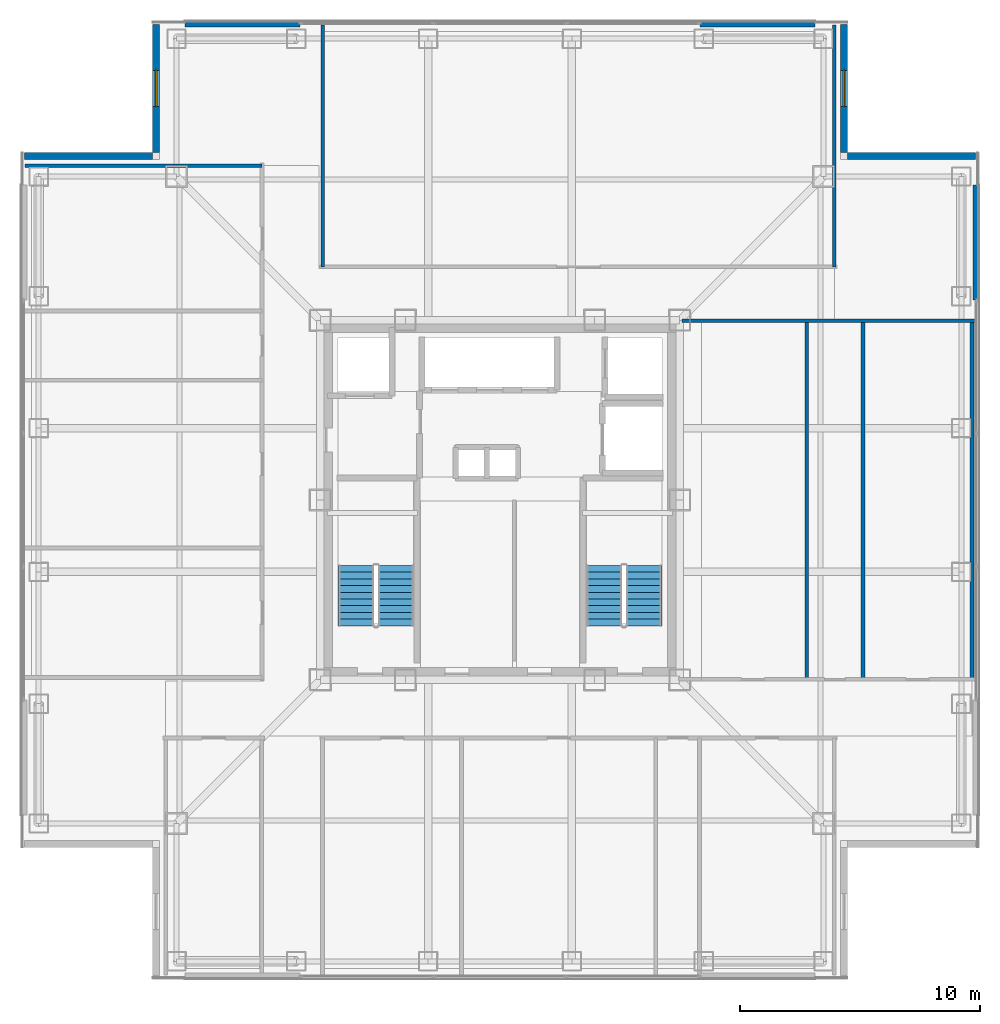
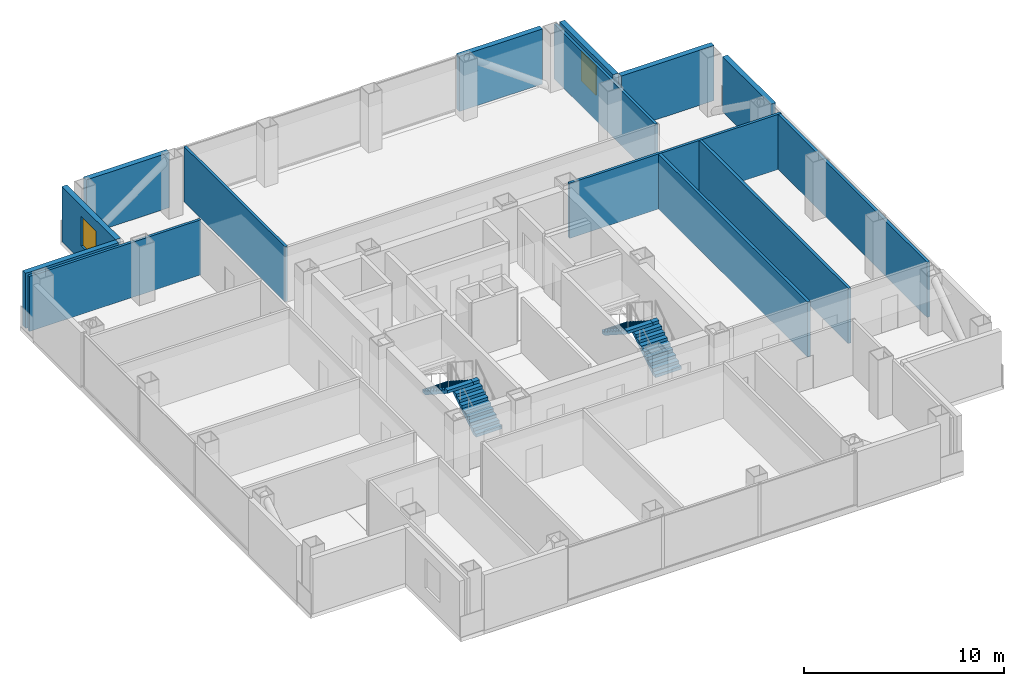
# One storey, part 11 of 17: 14 walls, 4 stair flights, 2 windows, 2 openings, 2 elements without a shape of their own.
"""IFC4 building model written with IfcOpenShell, lengths in metres."""

from ifc_helpers import new_model, si_unit, direction, frame, frame_2d, origin, place, context, subcontext, project, spatial, polyline, rectangle, outline, extrude, material, layer, layer_set, type_object, element, fill, aggregate, save


model = new_model("IFC4")

# Units and contexts
model_context = context("Model", 3, precision=1e-05, world=origin(), true_north=direction((0.0, 1.0)))
body_context = subcontext(model_context, "Body", "Model", "MODEL_VIEW")
ifc_project = project(units=[si_unit("LENGTHUNIT", "METRE"), si_unit("AREAUNIT", "SQUARE_METRE"), si_unit("VOLUMEUNIT", "CUBIC_METRE"), si_unit("PLANEANGLEUNIT", "RADIAN"), si_unit("MASSUNIT", "GRAM", prefix="KILO")], contexts=[model_context])

# Site, building, storey
site_placement = place(None, origin())
site = spatial("IfcSite", under=ifc_project, at=site_placement, CompositionType="ELEMENT")
building_placement = place(site_placement, origin())
building = spatial("IfcBuilding", under=site, at=building_placement, Name="Trevonay Congress Spire", CompositionType="ELEMENT")
storey_placement = place(building_placement, frame((0.0, 0.0, 213.0)))
storey = spatial("IfcBuildingStorey", under=building, at=storey_placement, Name="L55", CompositionType="ELEMENT", Elevation=213.0)

# Walls
ifc_material_1 = material(Name="Precast concrete C40/50", Category="concrete")
ifc_layer_1 = layer(ifc_material_1, 0.300048828125, Name="Precast concrete C40/50")
ifc_layer_set_1 = layer_set([ifc_layer_1], Name="Precast concrete C40/50")
wall_type_1 = type_object("IfcWallType", Name="WAL-EXT-PRECAST-300", PredefinedType="SOLIDWALL", material=ifc_layer_set_1)
for number, where, z_axis, x_axis, name in (
    (1, (-13.14990234375, 19.8798828125, 0.0), (0.0, 0.0, 1.0), (1.0, 0.0, 0.0), "L55 NL braced-bay exterior pier wall"),
    (2, (8.35009765625, 19.8798828125, 0.0), (0.0, 0.0, 1.0), (1.0, 0.0, 0.0), "L55 NR braced-bay exterior pier wall"),
    (3, (19.8798828125, 8.35009765625, 0.0), (0.0, 0.0, 1.0), (0.0, 1.0, 0.0), "L55 ER braced-bay exterior pier wall"),
):
    element("IfcWall", number, at=place(storey_placement, frame(where, z_axis=z_axis, x_axis=x_axis)), inside=storey, type_object=wall_type_1, Name=name, PredefinedType="SOLIDWALL", context=body_context, shape_type="SweptSolid", body=[
        extrude(rectangle(XDim=4.7998046875, YDim=0.300048828125, at=frame_2d((2.39990234375, 0.0))), origin(), (0.0, 0.0, 1.0), 3.360107421875),
    ])

# Wall, opening, window
wall_1_placement = place(storey_placement, frame((14.35009765625, 19.85009765625, 0.0), z_axis=(0.0, 0.0, 1.0), x_axis=(0.0, -1.0, 0.0)))
wall_1 = element("IfcWall", 4, at=wall_1_placement, inside=storey, type_object=wall_type_1, Name="L55 NE re-entrant notch exterior wall 1", PredefinedType="SOLIDWALL", context=body_context, shape_type="SweptSolid", body=[
    extrude(rectangle(XDim=5.35009765625, YDim=0.300048828125, at=frame_2d((2.675048828125, 0.0))), origin(), (0.0, 0.0, 1.0), 3.360107421875),
])
opening_1_placement = place(wall_1_placement, frame((1.925048828125, 0.0, 0.89990234375)))
opening_1 = element("IfcOpeningElement", 5, at=opening_1_placement, cuts=wall_1, Name="Opening WN03", PredefinedType="OPENING", context=body_context, shape_type="SweptSolid", body=[
    extrude(rectangle(XDim=1.5, YDim=1.800048828125, at=frame_2d((0.75, 0.89990234375))), frame((0.0, 0.16015625, 0.0), z_axis=(0.0, -1.0, 0.0), x_axis=(1.0, 0.0, 0.0)), (0.0, 0.0, 1.0), 0.320068359375),
])
ifc_material_2 = material(Name="Insulated Low-E Vision Glass IGU", Category="glass")
window_type = type_object("IfcWindowType", Name="WIN-NOTCH-150X180", PartitioningType="SINGLE_PANEL", PredefinedType="WINDOW", material=ifc_material_2)
window_1_placement = place(opening_1_placement, origin())
window_1 = element("IfcWindow", 6, at=window_1_placement, inside=storey, type_object=window_type, Name="L55 NE corner notch window", OverallHeight=1.800048828125, OverallWidth=1.5, PartitioningType="SINGLE_PANEL", PredefinedType="WINDOW", context=body_context, shape_type="SweptSolid", body=[
    extrude(rectangle(XDim=1.5, YDim=1.800048828125, at=frame_2d((0.75, 0.89990234375))), frame((0.0, 0.030029296875, 0.0), z_axis=(0.0, -1.0, 0.0), x_axis=(1.0, 0.0, 0.0)), (0.0, 0.0, 1.0), 0.06005859375),
])
fill(opening_1, window_1)

# Wall
wall_2_placement = place(storey_placement, frame((19.85009765625, 14.35009765625, 0.0), z_axis=(0.0, 0.0, 1.0), x_axis=(-1.0, 0.0, 0.0)))
element("IfcWall", 7, at=wall_2_placement, inside=storey, type_object=wall_type_1, Name="L55 NE re-entrant notch exterior wall 2", PredefinedType="SOLIDWALL", context=body_context, shape_type="SweptSolid", body=[
    extrude(rectangle(XDim=5.35009765625, YDim=0.300048828125, at=frame_2d((2.675048828125, 0.0))), origin(), (0.0, 0.0, 1.0), 3.360107421875),
])

# Wall, opening, window
wall_3_placement = place(storey_placement, frame((-14.35009765625, 19.85009765625, 0.0), z_axis=(0.0, 0.0, 1.0), x_axis=(0.0, -1.0, 0.0)))
wall_3 = element("IfcWall", 8, at=wall_3_placement, inside=storey, type_object=wall_type_1, Name="L55 NW re-entrant notch exterior wall 1", PredefinedType="SOLIDWALL", context=body_context, shape_type="SweptSolid", body=[
    extrude(rectangle(XDim=5.35009765625, YDim=0.300048828125, at=frame_2d((2.675048828125, 0.0))), origin(), (0.0, 0.0, 1.0), 3.360107421875),
])
opening_2_placement = place(wall_3_placement, frame((1.925048828125, 0.0, 0.89990234375)))
opening_2 = element("IfcOpeningElement", 9, at=opening_2_placement, cuts=wall_3, Name="Opening WN03", PredefinedType="OPENING", context=body_context, shape_type="SweptSolid", body=[
    extrude(rectangle(XDim=1.5, YDim=1.800048828125, at=frame_2d((0.75, 0.89990234375))), frame((0.0, 0.16015625, 0.0), z_axis=(0.0, -1.0, 0.0), x_axis=(1.0, 0.0, 0.0)), (0.0, 0.0, 1.0), 0.320068359375),
])
window_2_placement = place(opening_2_placement, origin())
window_2 = element("IfcWindow", 10, at=window_2_placement, inside=storey, type_object=window_type, Name="L55 NW corner notch window", OverallHeight=1.800048828125, OverallWidth=1.5, PartitioningType="SINGLE_PANEL", PredefinedType="WINDOW", context=body_context, shape_type="SweptSolid", body=[
    extrude(rectangle(XDim=1.5, YDim=1.800048828125, at=frame_2d((0.75, 0.89990234375))), frame((0.0, 0.030029296875, 0.0), z_axis=(0.0, -1.0, 0.0), x_axis=(1.0, 0.0, 0.0)), (0.0, 0.0, 1.0), 0.06005859375),
])
fill(opening_2, window_2)

# Walls
wall_4_placement = place(storey_placement, frame((-19.85009765625, 14.35009765625, 0.0), z_axis=(0.0, 0.0, 1.0), x_axis=(1.0, 0.0, 0.0)))
element("IfcWall", 11, at=wall_4_placement, inside=storey, type_object=wall_type_1, Name="L55 NW re-entrant notch exterior wall 2", PredefinedType="SOLIDWALL", context=body_context, shape_type="SweptSolid", body=[
    extrude(rectangle(XDim=5.35009765625, YDim=0.300048828125, at=frame_2d((2.675048828125, 0.0))), origin(), (0.0, 0.0, 1.0), 3.360107421875),
])
ifc_material_3 = material(Name="Concrete C40/50", Category="concrete")
ifc_layer_2 = layer(ifc_material_3, 0.14990234375, Name="Concrete C40/50")
ifc_layer_set_2 = layer_set([ifc_layer_2], Name="Concrete C40/50")
wall_type_2 = type_object("IfcWallType", Name="WAL-PART-150", PredefinedType="PARTITIONING", material=ifc_layer_set_2)
wall_5_placement = place(storey_placement, frame((-19.820068359375, 13.949951171875, 0.0), z_axis=(0.0, 0.0, 1.0), x_axis=(1.0, 0.0, 0.0)))
element("IfcWall", 12, at=wall_5_placement, inside=storey, type_object=wall_type_2, Name="L55 interior wall WP-L55NW-DIV4", PredefinedType="PARTITIONING", context=body_context, shape_type="SweptSolid", body=[
    extrude(rectangle(XDim=9.89013671875, YDim=0.14990234375, at=frame_2d((4.945068359375, 0.0))), origin(), (0.0, 0.0, 1.0), 3.360107421875),
])
for number, where, z_axis, x_axis, name in (
    (13, (-7.39990234375, 9.72998046875, 0.0), (0.0, 0.0, 1.0), (0.0, 1.0, 0.0), "L55 interior wall WP-L55N-DIV1"),
    (14, (13.949951171875, 9.72998046875, 0.0), (0.0, 0.0, 1.0), (0.0, 1.0, 0.0), "L55 interior wall WP-L55N-DIV2"),
):
    element("IfcWall", number, at=place(storey_placement, frame(where, z_axis=z_axis, x_axis=x_axis)), inside=storey, type_object=wall_type_2, Name=name, PredefinedType="PARTITIONING", context=body_context, shape_type="SweptSolid", body=[
        extrude(rectangle(XDim=10.090087890625, YDim=0.14990234375, at=frame_2d((5.044921875, 0.0))), origin(), (0.0, 0.0, 1.0), 3.360107421875),
    ])
wall_6_placement = place(storey_placement, frame((7.60009765625, 7.47998046875, 0.0), z_axis=(0.0, 0.0, 1.0), x_axis=(1.0, 0.0, 0.0)))
element("IfcWall", 15, at=wall_6_placement, inside=storey, type_object=wall_type_2, Name="L55 interior wall WP-L55E-NCLS", PredefinedType="PARTITIONING", context=body_context, shape_type="SweptSolid", body=[
    extrude(rectangle(XDim=12.219970703125, YDim=0.14990234375, at=frame_2d((6.10986328125, 0.0))), origin(), (0.0, 0.0, 1.0), 3.360107421875),
])
ifc_layer_3 = layer(ifc_material_3, 0.1650390625, Name="Concrete C40/50")
ifc_layer_set_3 = layer_set([ifc_layer_3], Name="Concrete C40/50")
wall_type_3 = type_object("IfcWallType", Name="WAL-WET-165", PredefinedType="PLUMBINGWALL", material=ifc_layer_set_3)
for number, where, z_axis, x_axis, name in (
    (16, (15.14990234375, -7.47998046875, 0.0), (0.0, 0.0, 1.0), (0.0, 1.0, 0.0), "L55 interior wall WP-L55E-WCS2"),
    (17, (12.800048828125, -7.47998046875, 0.0), (0.0, 0.0, 1.0), (0.0, 1.0, 0.0), "L55 interior wall WP-L55E-DIV1"),
    (18, (19.699951171875, -7.47998046875, 0.0), (0.0, 0.0, 1.0), (0.0, 1.0, 0.0), "L55 interior wall WP-L55E-DIV2"),
):
    element("IfcWall", number, at=place(storey_placement, frame(where, z_axis=z_axis, x_axis=x_axis)), inside=storey, type_object=wall_type_3, Name=name, PredefinedType="PLUMBINGWALL", context=body_context, shape_type="SweptSolid", body=[
        extrude(rectangle(XDim=14.89990234375, YDim=0.1650390625, at=frame_2d((7.449951171875, 0.0))), origin(), (0.0, 0.0, 1.0), 3.360107421875),
    ])

# Stair, stair flights
stair_type_1 = type_object("IfcStairType", Name="STR-ST-1", PredefinedType="HALF_TURN_STAIR", material=ifc_material_3)
stair_1_placement = place(storey_placement, origin())
stair_1 = element("IfcStair", 19, at=stair_1_placement, inside=storey, type_object=stair_type_1, Name="L55 Protected Exit Stair ST-1", PredefinedType="HALF_TURN_STAIR")
stair_flight_type_1 = type_object("IfcStairFlightType", Name="SFL-ST-1", PredefinedType="STRAIGHT", material=ifc_material_3)
stair_flight_1_placement = place(storey_placement, frame((-4.35009765625, -5.25, 0.0), z_axis=(0.0, 0.0, 1.0), x_axis=(0.0, 1.0, 0.0)))
stair_flight_1 = element("IfcStairFlight", 20, at=stair_flight_1_placement, type_object=stair_flight_type_1, Name="ST-1 flight 1", NumberOfRisers=10, NumberOfTreads=9, PredefinedType="STRAIGHT", RiserHeight=0.18, TreadLength=0.28, context=body_context, shape_type="SweptSolid", body=[
    extrude(outline(polyline([(0.0, 0.0), (0.0, 0.179931640625), (0.280029296875, 0.179931640625), (0.280029296875, 0.360107421875), (0.56005859375, 0.360107421875), (0.56005859375, 0.5400390625), (0.840087890625, 0.5400390625), (0.840087890625, 0.719970703125), (1.1201171875, 0.719970703125), (1.1201171875, 0.89990234375), (1.39990234375, 0.89990234375), (1.39990234375, 1.080078125), (1.679931640625, 1.080078125), (1.679931640625, 1.260009765625), (1.9599609375, 1.260009765625), (1.9599609375, 1.43994140625), (2.239990234375, 1.43994140625), (2.239990234375, 1.6201171875), (2.52001953125, 1.6201171875), (2.52001953125, 1.800048828125), (2.52001953125, 1.44189453125), (0.277099609375, 0.0), (0.0, 0.0)])), frame((0.0, 0.75, 0.0), z_axis=(0.0, -1.0, 0.0), x_axis=(1.0, 0.0, 0.0)), (0.0, 0.0, 1.0), 1.5),
])
stair_flight_2_placement = place(storey_placement, frame((-6.0, -2.72998046875, 1.800048828125), z_axis=(0.0, 0.0, 1.0), x_axis=(0.0, -1.0, 0.0)))
stair_flight_2 = element("IfcStairFlight", 21, at=stair_flight_2_placement, type_object=stair_flight_type_1, Name="ST-1 flight 2", NumberOfRisers=10, NumberOfTreads=9, PredefinedType="STRAIGHT", RiserHeight=0.18, TreadLength=0.28, context=body_context, shape_type="SweptSolid", body=[
    extrude(outline(polyline([(0.0, 0.0), (0.0, 0.179931640625), (0.280029296875, 0.179931640625), (0.280029296875, 0.360107421875), (0.56005859375, 0.360107421875), (0.56005859375, 0.5400390625), (0.840087890625, 0.5400390625), (0.840087890625, 0.719970703125), (1.1201171875, 0.719970703125), (1.1201171875, 0.89990234375), (1.39990234375, 0.89990234375), (1.39990234375, 1.080078125), (1.679931640625, 1.080078125), (1.679931640625, 1.260009765625), (1.9599609375, 1.260009765625), (1.9599609375, 1.43994140625), (2.239990234375, 1.43994140625), (2.239990234375, 1.6201171875), (2.52001953125, 1.6201171875), (2.52001953125, 1.800048828125), (2.52001953125, 1.44189453125), (0.277099609375, 0.0), (0.0, 0.0)])), frame((0.0, 0.75, 0.0), z_axis=(0.0, -1.0, 0.0), x_axis=(1.0, 0.0, 0.0)), (0.0, 0.0, 1.0), 1.5),
])
aggregate(stair_1, [stair_flight_1, stair_flight_2])

stair_type_2 = type_object("IfcStairType", Name="STR-ST-2", PredefinedType="HALF_TURN_STAIR", material=ifc_material_3)
stair_2_placement = place(storey_placement, origin())
stair_2 = element("IfcStair", 22, at=stair_2_placement, inside=storey, type_object=stair_type_2, Name="L55 Protected Exit Stair ST-2", PredefinedType="HALF_TURN_STAIR")
stair_flight_type_2 = type_object("IfcStairFlightType", Name="SFL-ST-2", PredefinedType="STRAIGHT", material=ifc_material_3)
stair_flight_3_placement = place(storey_placement, frame((6.0, -5.25, 0.0), z_axis=(0.0, 0.0, 1.0), x_axis=(0.0, 1.0, 0.0)))
stair_flight_3 = element("IfcStairFlight", 23, at=stair_flight_3_placement, type_object=stair_flight_type_2, Name="ST-2 flight 1", NumberOfRisers=10, NumberOfTreads=9, PredefinedType="STRAIGHT", RiserHeight=0.18, TreadLength=0.28, context=body_context, shape_type="SweptSolid", body=[
    extrude(outline(polyline([(0.0, 0.0), (0.0, 0.179931640625), (0.280029296875, 0.179931640625), (0.280029296875, 0.360107421875), (0.56005859375, 0.360107421875), (0.56005859375, 0.5400390625), (0.840087890625, 0.5400390625), (0.840087890625, 0.719970703125), (1.1201171875, 0.719970703125), (1.1201171875, 0.89990234375), (1.39990234375, 0.89990234375), (1.39990234375, 1.080078125), (1.679931640625, 1.080078125), (1.679931640625, 1.260009765625), (1.9599609375, 1.260009765625), (1.9599609375, 1.43994140625), (2.239990234375, 1.43994140625), (2.239990234375, 1.6201171875), (2.52001953125, 1.6201171875), (2.52001953125, 1.800048828125), (2.52001953125, 1.44189453125), (0.277099609375, 0.0), (0.0, 0.0)])), frame((0.0, 0.75, 0.0), z_axis=(0.0, -1.0, 0.0), x_axis=(1.0, 0.0, 0.0)), (0.0, 0.0, 1.0), 1.5),
])
stair_flight_4_placement = place(storey_placement, frame((4.35009765625, -2.72998046875, 1.800048828125), z_axis=(0.0, 0.0, 1.0), x_axis=(0.0, -1.0, 0.0)))
stair_flight_4 = element("IfcStairFlight", 24, at=stair_flight_4_placement, type_object=stair_flight_type_2, Name="ST-2 flight 2", NumberOfRisers=10, NumberOfTreads=9, PredefinedType="STRAIGHT", RiserHeight=0.18, TreadLength=0.28, context=body_context, shape_type="SweptSolid", body=[
    extrude(outline(polyline([(0.0, 0.0), (0.0, 0.179931640625), (0.280029296875, 0.179931640625), (0.280029296875, 0.360107421875), (0.56005859375, 0.360107421875), (0.56005859375, 0.5400390625), (0.840087890625, 0.5400390625), (0.840087890625, 0.719970703125), (1.1201171875, 0.719970703125), (1.1201171875, 0.89990234375), (1.39990234375, 0.89990234375), (1.39990234375, 1.080078125), (1.679931640625, 1.080078125), (1.679931640625, 1.260009765625), (1.9599609375, 1.260009765625), (1.9599609375, 1.43994140625), (2.239990234375, 1.43994140625), (2.239990234375, 1.6201171875), (2.52001953125, 1.6201171875), (2.52001953125, 1.800048828125), (2.52001953125, 1.44189453125), (0.277099609375, 0.0), (0.0, 0.0)])), frame((0.0, 0.75, 0.0), z_axis=(0.0, -1.0, 0.0), x_axis=(1.0, 0.0, 0.0)), (0.0, 0.0, 1.0), 1.5),
])
aggregate(stair_2, [stair_flight_3, stair_flight_4])

save(model, "model.ifc")
